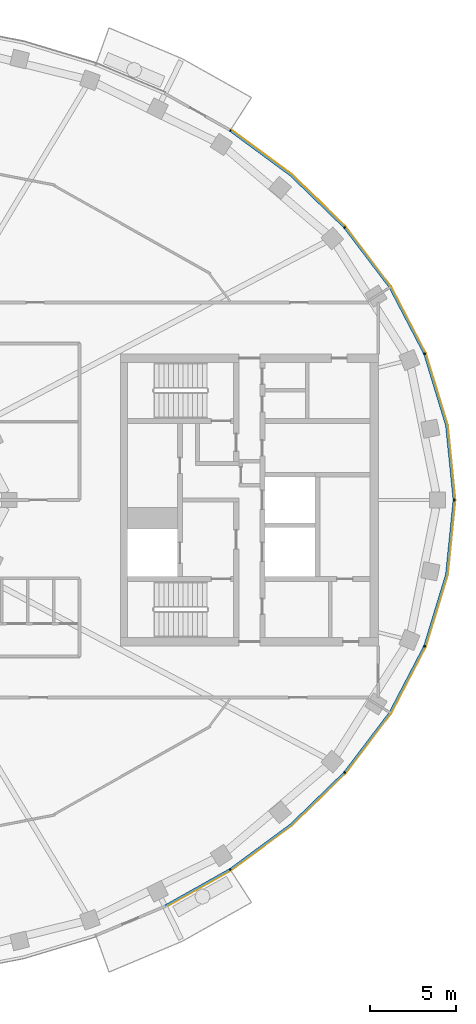
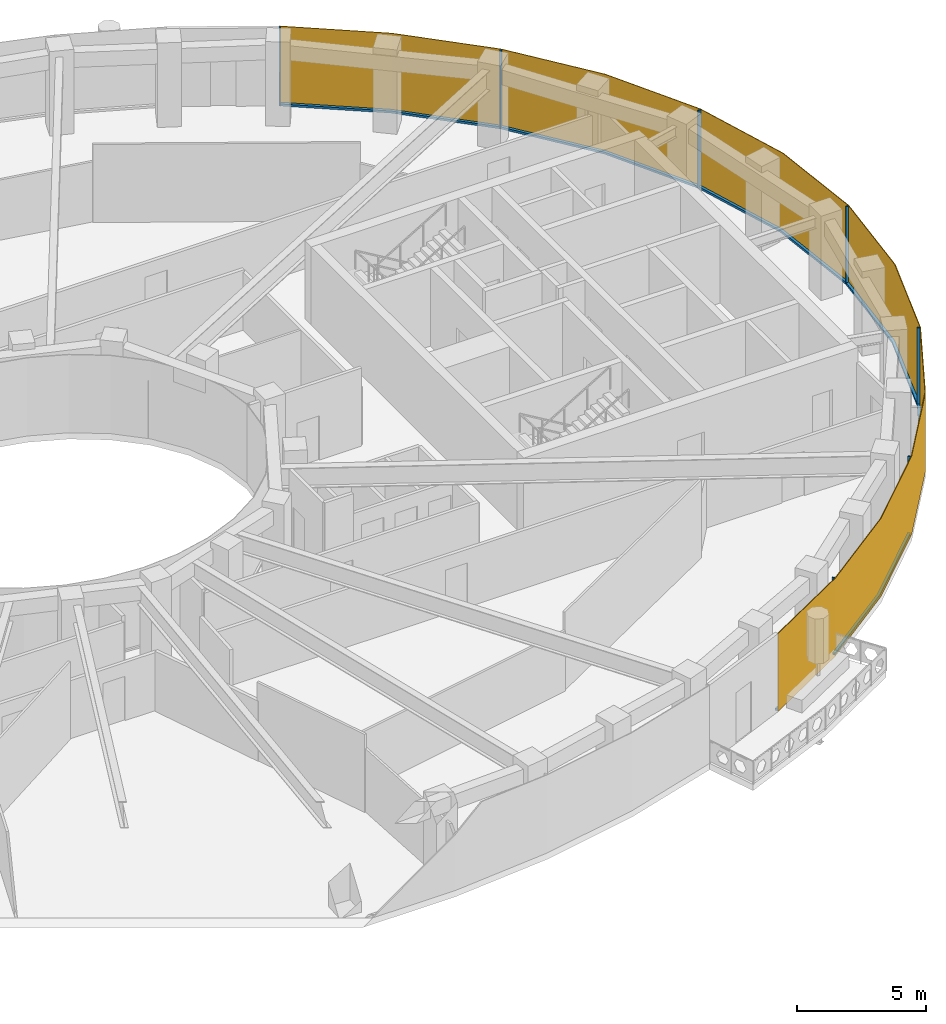
# One storey, part 11 of 15: 14 members, 1 curtain wall.
"""IFC4 building model written with IfcOpenShell, lengths in metres."""

from ifc_helpers import new_model, si_unit, direction, frame, origin, origin_2d, place, context, subcontext, project, spatial, polyline, rectangle, outline, extrude, material, layer, layer_set, material_profile, profile_set, type_object, element, aggregate, save


model = new_model("IFC4")

# Units and contexts
model_context = context("Model", 3, precision=1e-05, world=origin(), true_north=direction((0.0, 1.0)))
body_context = subcontext(model_context, "Body", "Model", "MODEL_VIEW")
ifc_project = project(units=[si_unit("LENGTHUNIT", "METRE"), si_unit("AREAUNIT", "SQUARE_METRE"), si_unit("VOLUMEUNIT", "CUBIC_METRE"), si_unit("PLANEANGLEUNIT", "RADIAN"), si_unit("MASSUNIT", "GRAM", prefix="KILO")], contexts=[model_context])

# Member
ifc_material_1 = material(Name="Aluminium 6063-T6 black anodised", Category="aluminium")
ifc_material_profile = material_profile(ifc_material_1, rectangle(XDim=0.1201171875, YDim=0.06005859375, at=origin_2d()), Name="120x60")
ifc_profile_set = profile_set([ifc_material_profile], Name="Aluminium 6063-T6 black anodised")
member_type_1 = type_object("IfcMemberType", Name="ENV-MULLION-A-120", PredefinedType="MULLION", material=ifc_profile_set)
site_placement = place(None, origin())
building_placement = place(site_placement, origin())
storey_placement = place(building_placement, frame((0.0, 0.0, 307.0)))
member_1_placement = place(storey_placement, frame((22.882568359375, -21.506591796875, 0.0), z_axis=(0.0, 0.0, 1.0), x_axis=(-0.542279153225, 0.840198381323, 0.0)))
member_1 = element("IfcMember", 1, at=member_1_placement, type_object=member_type_1, Name="Mullion A radial 41", PredefinedType="MULLION", context=body_context, shape_type="SweptSolid", body=[
    extrude(rectangle(XDim=0.1201171875, YDim=0.06005859375, at=origin_2d()), origin(), (0.0, 0.0, 1.0), 3.699951171875),
])

member_2_placement = place(storey_placement, frame((29.53857421875, -15.8671875, 0.0), z_axis=(0.0, 0.0, 1.0), x_axis=(-0.749047221705, 0.662516610853, 0.0)))
member_2 = element("IfcMember", 2, at=member_2_placement, type_object=member_type_1, Name="Mullion A radial 43", PredefinedType="MULLION", context=body_context, shape_type="SweptSolid", body=[
    extrude(rectangle(XDim=0.1201171875, YDim=0.06005859375, at=origin_2d()), origin(), (0.0, 0.0, 1.0), 3.699951171875),
])

member_3_placement = place(storey_placement, frame((34.19580078125, -8.513916015625, 0.0), z_axis=(0.0, 0.0, 1.0), x_axis=(-0.92546738067, 0.378827305398, 0.0)))
member_3 = element("IfcMember", 3, at=member_3_placement, type_object=member_type_1, Name="Mullion A radial 45", PredefinedType="MULLION", context=body_context, shape_type="SweptSolid", body=[
    extrude(rectangle(XDim=0.1201171875, YDim=0.06005859375, at=origin_2d()), origin(), (0.0, 0.0, 1.0), 3.699951171875),
])

member_4_placement = place(storey_placement, frame((35.907958984375, 0.0, 0.0), z_axis=(0.0, 0.0, 1.0), x_axis=(-1.0, 0.0, 0.0)))
member_4 = element("IfcMember", 4, at=member_4_placement, type_object=member_type_1, Name="Mullion A radial 01", PredefinedType="MULLION", context=body_context, shape_type="SweptSolid", body=[
    extrude(rectangle(XDim=0.1201171875, YDim=0.06005859375, at=origin_2d()), origin(), (0.0, 0.0, 1.0), 3.699951171875),
])

member_5_placement = place(storey_placement, frame((34.19580078125, 8.513916015625, 0.0), z_axis=(0.0, 0.0, 1.0), x_axis=(-0.92546738067, -0.378827305398, 0.0)))
member_5 = element("IfcMember", 5, at=member_5_placement, type_object=member_type_1, Name="Mullion A radial 03", PredefinedType="MULLION", context=body_context, shape_type="SweptSolid", body=[
    extrude(rectangle(XDim=0.1201171875, YDim=0.06005859375, at=origin_2d()), origin(), (0.0, 0.0, 1.0), 3.699951171875),
])

member_6_placement = place(storey_placement, frame((29.53857421875, 15.8671875, 0.0), z_axis=(0.0, 0.0, 1.0), x_axis=(-0.749047221705, -0.662516610853, 0.0)))
member_6 = element("IfcMember", 6, at=member_6_placement, type_object=member_type_1, Name="Mullion A radial 05", PredefinedType="MULLION", context=body_context, shape_type="SweptSolid", body=[
    extrude(rectangle(XDim=0.1201171875, YDim=0.06005859375, at=origin_2d()), origin(), (0.0, 0.0, 1.0), 3.699951171875),
])

member_7_placement = place(storey_placement, frame((22.882568359375, 21.506591796875, 0.0), z_axis=(0.0, 0.0, 1.0), x_axis=(-0.542279153225, -0.840198381323, 0.0)))
member_7 = element("IfcMember", 7, at=member_7_placement, type_object=member_type_1, Name="Mullion A radial 07", PredefinedType="MULLION", context=body_context, shape_type="SweptSolid", body=[
    extrude(rectangle(XDim=0.1201171875, YDim=0.06005859375, at=origin_2d()), origin(), (0.0, 0.0, 1.0), 3.699951171875),
])

ifc_material_2 = material(Name="Aluminium 6063-T6 black anodised", Category="aluminium")
member_type_2 = type_object("IfcMemberType", Name="ENV-TRANSOM-A", PredefinedType="USERDEFINED", material=ifc_material_2)
member_8_placement = place(storey_placement, origin())
member_8 = element("IfcMember", 8, at=member_8_placement, type_object=member_type_2, Name="Transom A radial 40-41", ObjectType="TRANSOM", PredefinedType="USERDEFINED", context=body_context, shape_type="SweptSolid", body=[
    extrude(outline(polyline([(19.111572265625, -23.691650390625), (22.890625, -21.570556640625), (22.825439453125, -21.469482421875), (19.058837890625, -23.58349609375), (19.111572265625, -23.691650390625)])), origin(), (0.0, 0.0, 1.0), 0.10009765625),
])

member_9_placement = place(storey_placement, origin())
member_9 = element("IfcMember", 9, at=member_9_placement, type_object=member_type_2, Name="Transom A radial 41-43", ObjectType="TRANSOM", PredefinedType="USERDEFINED", context=body_context, shape_type="SweptSolid", body=[
    extrude(outline(polyline([(22.937744140625, -21.540283203125), (26.4423828125, -18.958740234375), (29.5634765625, -15.926513671875), (29.473388671875, -15.8466796875), (26.364501953125, -18.866943359375), (22.87255859375, -21.439208984375), (22.937744140625, -21.540283203125)])), origin(), (0.0, 0.0, 1.0), 0.10009765625),
])

member_10_placement = place(storey_placement, origin())
member_10 = element("IfcMember", 10, at=member_10_placement, type_object=member_type_2, Name="Transom A radial 43-45", ObjectType="TRANSOM", PredefinedType="USERDEFINED", context=body_context, shape_type="SweptSolid", body=[
    extrude(outline(polyline([(29.6005859375, -15.884521484375), (32.22802734375, -12.41748046875), (34.23828125, -8.5615234375), (34.126708984375, -8.515869140625), (32.126220703125, -12.35302734375), (29.51025390625, -15.8046875), (29.6005859375, -15.884521484375)])), origin(), (0.0, 0.0, 1.0), 0.10009765625),
])

member_11_placement = place(storey_placement, origin())
member_11 = element("IfcMember", 11, at=member_11_placement, type_object=member_type_2, Name="Transom A radial 45-01", ObjectType="TRANSOM", PredefinedType="USERDEFINED", context=body_context, shape_type="SweptSolid", body=[
    extrude(outline(polyline([(34.259521484375, -8.509765625), (35.529541015625, -4.352294921875), (35.965087890625, -0.02783203125), (35.844482421875, -0.02783203125), (35.411376953125, -4.32861328125), (34.14794921875, -8.464111328125), (34.259521484375, -8.509765625)])), origin(), (0.0, 0.0, 1.0), 0.10009765625),
])

member_12_placement = place(storey_placement, origin())
member_12 = element("IfcMember", 12, at=member_12_placement, type_object=member_type_2, Name="Transom A radial 01-03", ObjectType="TRANSOM", PredefinedType="USERDEFINED", context=body_context, shape_type="SweptSolid", body=[
    extrude(outline(polyline([(35.965087890625, 0.02783203125), (35.529541015625, 4.352294921875), (34.259521484375, 8.509765625), (34.14794921875, 8.464111328125), (35.411376953125, 4.32861328125), (35.844482421875, 0.02783203125), (35.965087890625, 0.02783203125)])), origin(), (0.0, 0.0, 1.0), 0.10009765625),
])

member_13_placement = place(storey_placement, origin())
member_13 = element("IfcMember", 13, at=member_13_placement, type_object=member_type_2, Name="Transom A radial 03-05", ObjectType="TRANSOM", PredefinedType="USERDEFINED", context=body_context, shape_type="SweptSolid", body=[
    extrude(outline(polyline([(34.23828125, 8.5615234375), (32.22802734375, 12.41748046875), (29.6005859375, 15.884521484375), (29.51025390625, 15.8046875), (32.126220703125, 12.35302734375), (34.126708984375, 8.515869140625), (34.23828125, 8.5615234375)])), origin(), (0.0, 0.0, 1.0), 0.10009765625),
])

member_14_placement = place(storey_placement, origin())
member_14 = element("IfcMember", 14, at=member_14_placement, type_object=member_type_2, Name="Transom A radial 05-07", ObjectType="TRANSOM", PredefinedType="USERDEFINED", context=body_context, shape_type="SweptSolid", body=[
    extrude(outline(polyline([(29.5634765625, 15.926513671875), (26.4423828125, 18.958740234375), (22.937744140625, 21.540283203125), (22.87255859375, 21.439208984375), (26.364501953125, 18.866943359375), (29.473388671875, 15.8466796875), (29.5634765625, 15.926513671875)])), origin(), (0.0, 0.0, 1.0), 0.10009765625),
])

# Site, building, storey
site = spatial("IfcSite", under=ifc_project, at=site_placement, CompositionType="ELEMENT")
building = spatial("IfcBuilding", under=site, at=building_placement, Name="Noorbagh Ring Tower", CompositionType="ELEMENT")
storey = spatial("IfcBuildingStorey", under=building, at=storey_placement, Name="L66", CompositionType="ELEMENT", Elevation=307.0)

# Curtain wall
ifc_material_3 = material(Name="Glass dark tinted laminated", Category="glass")
ifc_layer = layer(ifc_material_3, 0.031982421875)
ifc_layer_set = layer_set([ifc_layer], Name="Glass dark tinted laminated")
curtain_wall_type = type_object("IfcCurtainWallType", Name="ENV-CW-A", PredefinedType="NOTDEFINED", material=ifc_layer_set)
curtain_wall_placement = place(storey_placement, origin())
curtain_wall = element("IfcCurtainWall", 15, at=curtain_wall_placement, inside=storey, type_object=curtain_wall_type, Name="Curtain wall A R40", PredefinedType="NOTDEFINED", context=body_context, shape_type="SweptSolid", body=[
    extrude(outline(polyline([(19.125732421875, -23.720458984375), (22.9326171875, -21.583740234375), (26.463134765625, -18.9833984375), (29.607666015625, -15.927978515625), (32.255126953125, -12.434814453125), (34.281005859375, -8.548828125), (35.561279296875, -4.358642578125), (36.0, 0.0), (35.561279296875, 4.358642578125), (34.281005859375, 8.548828125), (32.255126953125, 12.434814453125), (29.607666015625, 15.927978515625), (26.463134765625, 18.9833984375), (22.948486328125, 21.572021484375), (22.931396484375, 21.544921875), (26.4423828125, 18.958740234375), (29.58349609375, 15.906982421875), (32.22802734375, 12.41748046875), (34.251220703125, 8.53662109375), (35.529541015625, 4.352294921875), (35.9677734375, 0.0), (35.529541015625, -4.352294921875), (34.251220703125, -8.53662109375), (32.22802734375, -12.41748046875), (29.58349609375, -15.906982421875), (26.4423828125, -18.958740234375), (22.9150390625, -21.556884765625), (19.111572265625, -23.691650390625), (19.125732421875, -23.720458984375)])), origin(), (0.0, 0.0, 1.0), 3.699951171875),
])

aggregate(curtain_wall, [member_1, member_2, member_3, member_4, member_5, member_6, member_7, member_8, member_9, member_10, member_11, member_12, member_13, member_14])

save(model, "model.ifc")
